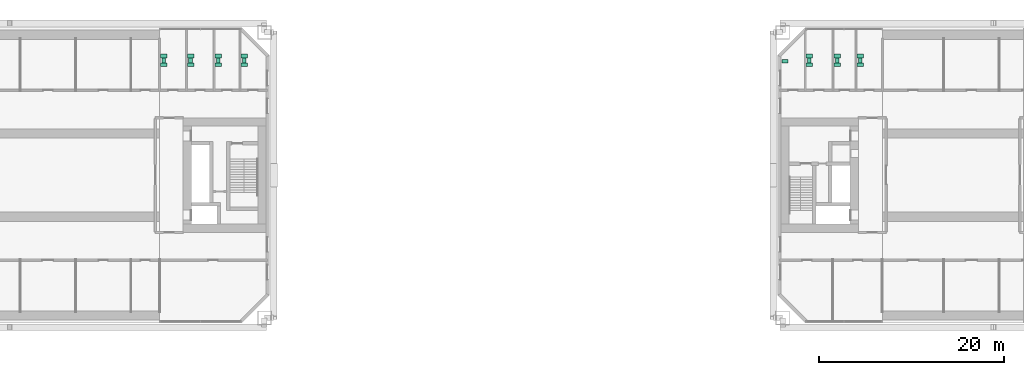
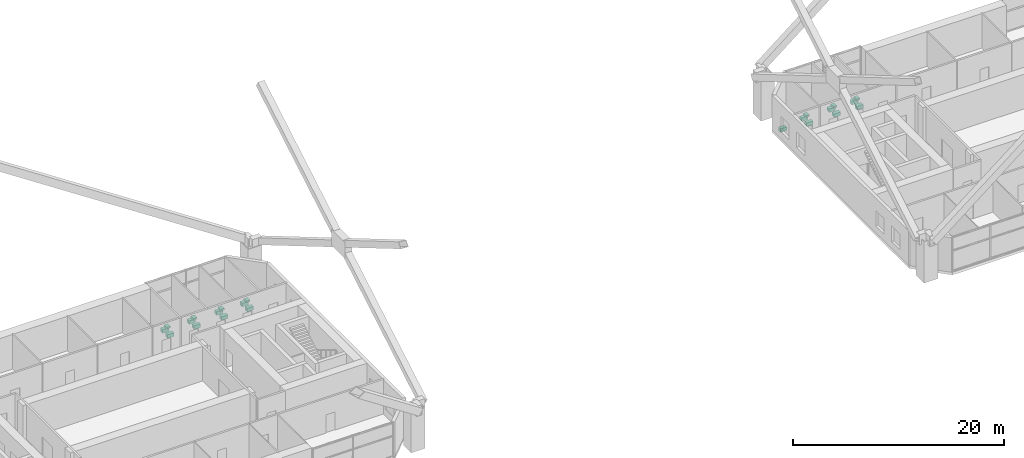
# One storey, part 25 of 25: 22 sanitary terminals.
"""IFC4 building model written with IfcOpenShell, lengths in metres."""

from ifc_helpers import new_model, si_unit, direction, frame, origin, origin_2d, place, context, subcontext, project, spatial, rectangle, extrude, element, save


model = new_model("IFC4")

# Units and contexts
model_context = context("Model", 3, precision=1e-05, world=origin(), true_north=direction((0.0, 1.0)))
body_context = subcontext(model_context, "Body", "Model", "MODEL_VIEW")
ifc_project = project(units=[si_unit("LENGTHUNIT", "METRE"), si_unit("AREAUNIT", "SQUARE_METRE"), si_unit("VOLUMEUNIT", "CUBIC_METRE"), si_unit("PLANEANGLEUNIT", "RADIAN"), si_unit("MASSUNIT", "GRAM", prefix="KILO")], contexts=[model_context])

# Site, building, storey
site_placement = place(None, origin())
site = spatial("IfcSite", under=ifc_project, at=site_placement, CompositionType="ELEMENT")
building_placement = place(site_placement, origin())
building = spatial("IfcBuilding", under=site, at=building_placement, Name="Tuart Gate Housing", CompositionType="ELEMENT")
storey_placement = place(building_placement, frame((0.0, 0.0, 14.699951171875)))
storey = spatial("IfcBuildingStorey", under=building, at=storey_placement, Name="L03", CompositionType="ELEMENT", Elevation=14.699951171875)

# Sanitary terminals
for number, where, z_axis, x_axis, name in (
    (1, (64.550048828125, 81.945068359375, 0.0), (0.0, 0.0, 1.0), (1.0, 0.0, 0.0), "Water closet"),
    (2, (64.550048828125, 82.89501953125, 0.0), (0.0, 0.0, 1.0), (1.0, 0.0, 0.0), "Water closet"),
):
    element("IfcSanitaryTerminal", number, at=place(storey_placement, frame(where, z_axis=z_axis, x_axis=x_axis)), inside=storey, Name=name, PredefinedType="TOILETPAN", context=body_context, shape_type="SweptSolid", body=[
        extrude(rectangle(XDim=0.699951171875, YDim=0.39990234375, at=origin_2d()), origin(), (0.0, 0.0, 1.0), 0.39990234375),
    ])
sanitary_terminal_1_placement = place(storey_placement, frame((64.550048828125, 82.419921875, 0.75), z_axis=(0.0, 0.0, 1.0), x_axis=(1.0, 0.0, 0.0)))
element("IfcSanitaryTerminal", 3, at=sanitary_terminal_1_placement, inside=storey, Name="Wash basin", PredefinedType="WASHHANDBASIN", context=body_context, shape_type="SweptSolid", body=[
    extrude(rectangle(XDim=0.39990234375, YDim=0.5, at=origin_2d()), origin(), (0.0, 0.0, 1.0), 0.199951171875),
])
for number, where, z_axis, x_axis, name in (
    (4, (67.449951171875, 81.945068359375, 0.0), (0.0, 0.0, 1.0), (1.0, 0.0, 0.0), "Water closet"),
    (5, (67.449951171875, 82.89501953125, 0.0), (0.0, 0.0, 1.0), (1.0, 0.0, 0.0), "Water closet"),
):
    element("IfcSanitaryTerminal", number, at=place(storey_placement, frame(where, z_axis=z_axis, x_axis=x_axis)), inside=storey, Name=name, PredefinedType="TOILETPAN", context=body_context, shape_type="SweptSolid", body=[
        extrude(rectangle(XDim=0.699951171875, YDim=0.39990234375, at=origin_2d()), origin(), (0.0, 0.0, 1.0), 0.39990234375),
    ])
sanitary_terminal_2_placement = place(storey_placement, frame((67.449951171875, 82.419921875, 0.75), z_axis=(0.0, 0.0, 1.0), x_axis=(1.0, 0.0, 0.0)))
element("IfcSanitaryTerminal", 6, at=sanitary_terminal_2_placement, inside=storey, Name="Wash basin", PredefinedType="WASHHANDBASIN", context=body_context, shape_type="SweptSolid", body=[
    extrude(rectangle(XDim=0.39990234375, YDim=0.5, at=origin_2d()), origin(), (0.0, 0.0, 1.0), 0.199951171875),
])
for number, where, z_axis, x_axis, name in (
    (7, (70.449951171875, 81.945068359375, 0.0), (0.0, 0.0, 1.0), (1.0, 0.0, 0.0), "Water closet"),
    (8, (70.449951171875, 82.89501953125, 0.0), (0.0, 0.0, 1.0), (1.0, 0.0, 0.0), "Water closet"),
):
    element("IfcSanitaryTerminal", number, at=place(storey_placement, frame(where, z_axis=z_axis, x_axis=x_axis)), inside=storey, Name=name, PredefinedType="TOILETPAN", context=body_context, shape_type="SweptSolid", body=[
        extrude(rectangle(XDim=0.699951171875, YDim=0.39990234375, at=origin_2d()), origin(), (0.0, 0.0, 1.0), 0.39990234375),
    ])
sanitary_terminal_3_placement = place(storey_placement, frame((70.449951171875, 82.419921875, 0.75), z_axis=(0.0, 0.0, 1.0), x_axis=(1.0, 0.0, 0.0)))
element("IfcSanitaryTerminal", 9, at=sanitary_terminal_3_placement, inside=storey, Name="Wash basin", PredefinedType="WASHHANDBASIN", context=body_context, shape_type="SweptSolid", body=[
    extrude(rectangle(XDim=0.39990234375, YDim=0.5, at=origin_2d()), origin(), (0.0, 0.0, 1.0), 0.199951171875),
])
for number, where, z_axis, x_axis, name in (
    (10, (73.25, 81.945068359375, 0.0), (0.0, 0.0, 1.0), (1.0, 0.0, 0.0), "Water closet"),
    (11, (73.25, 82.89501953125, 0.0), (0.0, 0.0, 1.0), (1.0, 0.0, 0.0), "Water closet"),
):
    element("IfcSanitaryTerminal", number, at=place(storey_placement, frame(where, z_axis=z_axis, x_axis=x_axis)), inside=storey, Name=name, PredefinedType="TOILETPAN", context=body_context, shape_type="SweptSolid", body=[
        extrude(rectangle(XDim=0.699951171875, YDim=0.39990234375, at=origin_2d()), origin(), (0.0, 0.0, 1.0), 0.39990234375),
    ])
sanitary_terminal_4_placement = place(storey_placement, frame((73.25, 82.419921875, 0.75), z_axis=(0.0, 0.0, 1.0), x_axis=(1.0, 0.0, 0.0)))
element("IfcSanitaryTerminal", 12, at=sanitary_terminal_4_placement, inside=storey, Name="Wash basin", PredefinedType="WASHHANDBASIN", context=body_context, shape_type="SweptSolid", body=[
    extrude(rectangle(XDim=0.39990234375, YDim=0.5, at=origin_2d()), origin(), (0.0, 0.0, 1.0), 0.199951171875),
])
for number, where, z_axis, x_axis, name in (
    (13, (131.81005859375, 82.345947265625, 0.0), (0.0, 0.0, 1.0), (1.0, 0.0, 0.0), "Water closet"),
    (14, (134.449951171875, 81.945068359375, 0.0), (0.0, 0.0, 1.0), (1.0, 0.0, 0.0), "Water closet"),
    (15, (134.449951171875, 82.89501953125, 0.0), (0.0, 0.0, 1.0), (1.0, 0.0, 0.0), "Water closet"),
):
    element("IfcSanitaryTerminal", number, at=place(storey_placement, frame(where, z_axis=z_axis, x_axis=x_axis)), inside=storey, Name=name, PredefinedType="TOILETPAN", context=body_context, shape_type="SweptSolid", body=[
        extrude(rectangle(XDim=0.699951171875, YDim=0.39990234375, at=origin_2d()), origin(), (0.0, 0.0, 1.0), 0.39990234375),
    ])
sanitary_terminal_5_placement = place(storey_placement, frame((134.449951171875, 82.419921875, 0.75), z_axis=(0.0, 0.0, 1.0), x_axis=(1.0, 0.0, 0.0)))
element("IfcSanitaryTerminal", 16, at=sanitary_terminal_5_placement, inside=storey, Name="Wash basin", PredefinedType="WASHHANDBASIN", context=body_context, shape_type="SweptSolid", body=[
    extrude(rectangle(XDim=0.39990234375, YDim=0.5, at=origin_2d()), origin(), (0.0, 0.0, 1.0), 0.199951171875),
])
for number, where, z_axis, x_axis, name in (
    (17, (137.449951171875, 81.945068359375, 0.0), (0.0, 0.0, 1.0), (1.0, 0.0, 0.0), "Water closet"),
    (18, (137.449951171875, 82.89501953125, 0.0), (0.0, 0.0, 1.0), (1.0, 0.0, 0.0), "Water closet"),
):
    element("IfcSanitaryTerminal", number, at=place(storey_placement, frame(where, z_axis=z_axis, x_axis=x_axis)), inside=storey, Name=name, PredefinedType="TOILETPAN", context=body_context, shape_type="SweptSolid", body=[
        extrude(rectangle(XDim=0.699951171875, YDim=0.39990234375, at=origin_2d()), origin(), (0.0, 0.0, 1.0), 0.39990234375),
    ])
sanitary_terminal_6_placement = place(storey_placement, frame((137.449951171875, 82.419921875, 0.75), z_axis=(0.0, 0.0, 1.0), x_axis=(1.0, 0.0, 0.0)))
element("IfcSanitaryTerminal", 19, at=sanitary_terminal_6_placement, inside=storey, Name="Wash basin", PredefinedType="WASHHANDBASIN", context=body_context, shape_type="SweptSolid", body=[
    extrude(rectangle(XDim=0.39990234375, YDim=0.5, at=origin_2d()), origin(), (0.0, 0.0, 1.0), 0.199951171875),
])
for number, where, z_axis, x_axis, name in (
    (20, (139.949951171875, 81.945068359375, 0.0), (0.0, 0.0, 1.0), (1.0, 0.0, 0.0), "Water closet"),
    (21, (139.949951171875, 82.89501953125, 0.0), (0.0, 0.0, 1.0), (1.0, 0.0, 0.0), "Water closet"),
):
    element("IfcSanitaryTerminal", number, at=place(storey_placement, frame(where, z_axis=z_axis, x_axis=x_axis)), inside=storey, Name=name, PredefinedType="TOILETPAN", context=body_context, shape_type="SweptSolid", body=[
        extrude(rectangle(XDim=0.699951171875, YDim=0.39990234375, at=origin_2d()), origin(), (0.0, 0.0, 1.0), 0.39990234375),
    ])
sanitary_terminal_7_placement = place(storey_placement, frame((139.949951171875, 82.419921875, 0.75), z_axis=(0.0, 0.0, 1.0), x_axis=(1.0, 0.0, 0.0)))
element("IfcSanitaryTerminal", 22, at=sanitary_terminal_7_placement, inside=storey, Name="Wash basin", PredefinedType="WASHHANDBASIN", context=body_context, shape_type="SweptSolid", body=[
    extrude(rectangle(XDim=0.39990234375, YDim=0.5, at=origin_2d()), origin(), (0.0, 0.0, 1.0), 0.199951171875),
])

save(model, "model.ifc")
